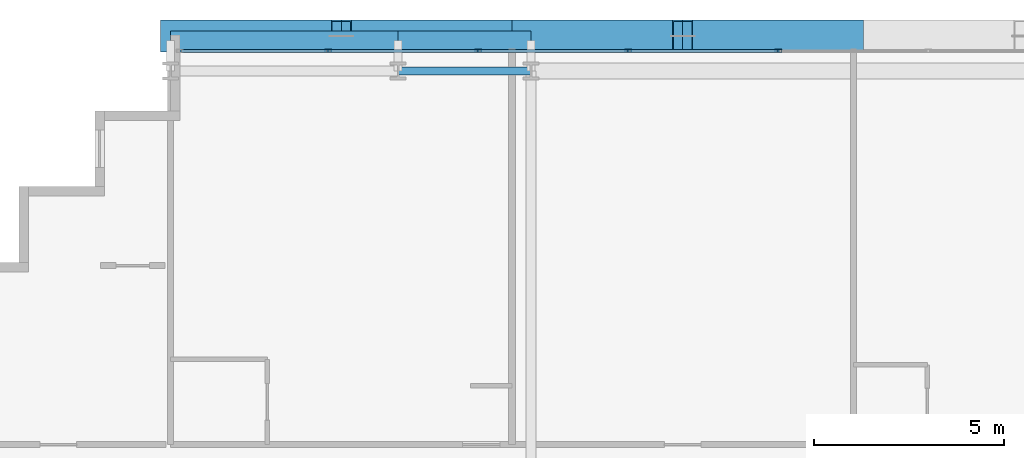
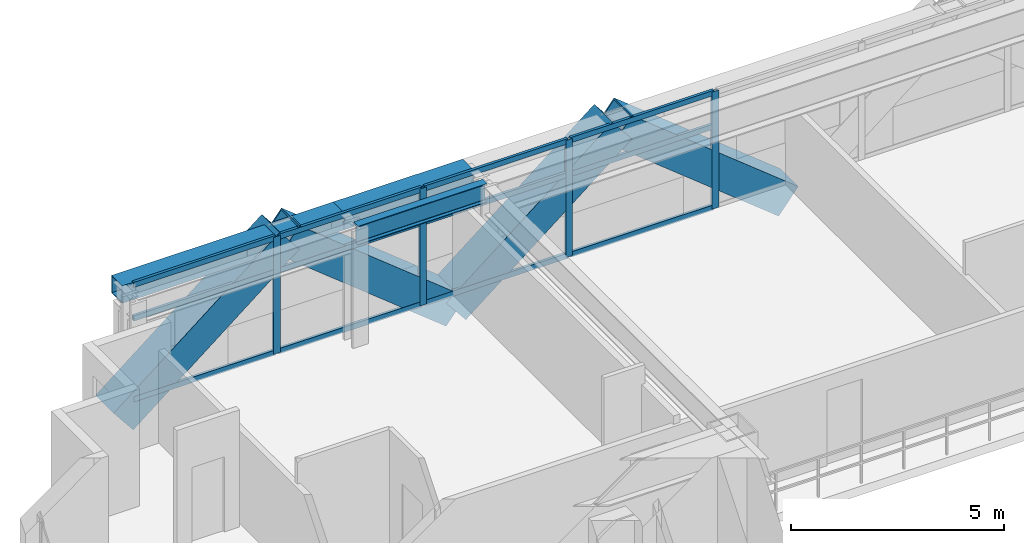
# One storey, part 18 of 35: 20 members, 3 beams, 1 element without a shape of its own.
"""IFC4 building model written with IfcOpenShell, lengths in metres."""

from ifc_helpers import new_model, si_unit, direction, frame, origin, origin_2d, place, context, subcontext, project, spatial, hollow_rectangle, i_section, extrude, source, transform, mapped, material, layer, layer_set, material_profile, profile_set, type_object, element, aggregate, save


model = new_model("IFC4")

# Units and contexts
model_context = context("Model", 3, precision=1e-05, world=origin(), true_north=direction((0.0, 1.0)))
body_context = subcontext(model_context, "Body", "Model", "MODEL_VIEW")
ifc_project = project(units=[si_unit("LENGTHUNIT", "METRE"), si_unit("AREAUNIT", "SQUARE_METRE"), si_unit("VOLUMEUNIT", "CUBIC_METRE"), si_unit("PLANEANGLEUNIT", "RADIAN"), si_unit("MASSUNIT", "GRAM", prefix="KILO")], contexts=[model_context])

# Site, building, storey
site_placement = place(None, origin())
site = spatial("IfcSite", under=ifc_project, at=site_placement, CompositionType="ELEMENT")
building_placement = place(site_placement, origin())
building = spatial("IfcBuilding", under=site, at=building_placement, Name="Ocotamira Hotel", CompositionType="ELEMENT")
storey_placement = place(building_placement, frame((0.0, 0.0, 78.0)))
storey = spatial("IfcBuildingStorey", under=building, at=storey_placement, Name="L19", CompositionType="ELEMENT", Elevation=78.0)

# Beams
ifc_material_1 = material(Name="Steel ASTM A992 Grade 50", Category="steel")
ifc_material_profile_1 = material_profile(ifc_material_1, i_section(OverallWidth=0.2099609375, OverallDepth=0.537109375, WebThickness=0.010986328125, FlangeThickness=0.017333984375, FilletRadius=0.012939453125, at=origin_2d()), Name="W21X68")
ifc_profile_set_1 = profile_set([ifc_material_profile_1], Name="Steel ASTM A992 Grade 50")
beam_type_1 = type_object("IfcBeamType", Name="BM-SEC-W21X68", PredefinedType="JOIST", material=ifc_profile_set_1)
shared_shape_1 = source(origin(), body_context, "Body", "SweptSolid", [
    extrude(i_section(OverallWidth=0.2099609375, OverallDepth=0.537109375, WebThickness=0.010986328125, FlangeThickness=0.017333984375, FilletRadius=0.012939453125, at=origin_2d()), origin(), (0.0, 0.0, 1.0), 3.5),
])
beam_1_placement = place(storey_placement, frame((20.0, 49.050048828125, 3.08154296875), z_axis=(1.0, 0.0, 0.0), x_axis=(0.0, 1.0, 0.0)))
element("IfcBeam", 1, at=beam_1_placement, inside=storey, type_object=beam_type_1, Name="L19 Girder Y49.05 X20-23.5", PredefinedType="JOIST", context=body_context, shape_type="MappedRepresentation", body=[
    mapped(shared_shape_1, transform((0.0, 0.0, 0.0), scale=1.0)),
])
ifc_material_2 = material(Name="Steel ASTM A500 Grade C", Category="steel")
ifc_material_profile_2 = material_profile(ifc_material_2, hollow_rectangle(XDim=0.5, YDim=0.5, WallThickness=0.02001953125, at=origin_2d()), Name="HSS500X500X20")
ifc_profile_set_2 = profile_set([ifc_material_profile_2], Name="Steel ASTM A500 Grade C")
beam_type_2 = type_object("IfcBeamType", Name="BM-SPAN-HSS500", PredefinedType="USERDEFINED", material=ifc_profile_set_2)
shared_shape_2 = source(origin(), body_context, "Body", "SweptSolid", [
    extrude(hollow_rectangle(XDim=0.5, YDim=0.5, WallThickness=0.02001953125, at=origin_2d()), origin(), (0.0, 0.0, 1.0), 6.0),
])
beam_2_placement = place(storey_placement, frame((14.0, 49.85009765625, 3.10009765625), z_axis=(1.0, 0.0, 0.0), x_axis=(0.0, 1.0, 0.0)))
element("IfcBeam", 2, at=beam_2_placement, inside=storey, type_object=beam_type_2, Name="L19 Edge Spandrel N X14-20", ObjectType="SPANDREL", PredefinedType="USERDEFINED", context=body_context, shape_type="MappedRepresentation", body=[
    mapped(shared_shape_2, transform((0.0, 0.0, 0.0), scale=1.0)),
])
shared_shape_3 = source(origin(), body_context, "Body", "SweptSolid", [
    extrude(hollow_rectangle(XDim=0.5, YDim=0.5, WallThickness=0.02001953125, at=origin_2d()), origin(), (0.0, 0.0, 1.0), 3.5),
])
beam_3_placement = place(storey_placement, frame((20.0, 49.85009765625, 3.10009765625), z_axis=(1.0, 0.0, 0.0), x_axis=(0.0, 1.0, 0.0)))
element("IfcBeam", 3, at=beam_3_placement, inside=storey, type_object=beam_type_2, Name="L19 Edge Spandrel N X20-23.5", ObjectType="SPANDREL", PredefinedType="USERDEFINED", context=body_context, shape_type="MappedRepresentation", body=[
    mapped(shared_shape_3, transform((0.0, 0.0, 0.0), scale=1.0)),
])

# Members
ifc_material_3 = material(Name="Pale-metal coated steel ASTM A913 Grade 65", Category="steel")
ifc_material_profile_3 = material_profile(ifc_material_3, hollow_rectangle(XDim=0.85009765625, YDim=0.85009765625, WallThickness=0.035888671875, at=origin_2d()), Name="BOX850X850X36")
ifc_profile_set_3 = profile_set([ifc_material_profile_3], Name="Pale-metal coated steel ASTM A913 Grade 65")
member_type_1 = type_object("IfcMemberType", Name="MEM-EXO-BOX850", PredefinedType="BRACE", material=ifc_profile_set_3)
shared_shape_4 = source(origin(), body_context, "Body", "SweptSolid", [
    extrude(hollow_rectangle(XDim=0.85009765625, YDim=0.85009765625, WallThickness=0.035888671875, at=origin_2d()), origin(), (0.0, 0.0, 1.0), 5.762939453125),
])
for number, where, z_axis, x_axis, name in (
    (4, (14.0, 49.969970703125, -0.5), (0.780860543151, 0.0, 0.624705380279), (0.0, 1.0, 0.0), "L19 Exoskeleton Diagrid N0.1"),
    (5, (23.0, 49.969970703125, -0.5), (-0.780860543151, 0.0, 0.624705380279), (0.0, -1.0, 0.0), "L19 Exoskeleton Diagrid N0.2"),
    (6, (23.0, 49.969970703125, -0.5), (0.780860543151, 0.0, 0.624705380279), (0.0, 1.0, 0.0), "L19 Exoskeleton Diagrid N1.1"),
    (7, (32.0, 49.969970703125, -0.5), (-0.780860543151, 0.0, 0.624705380279), (0.0, -1.0, 0.0), "L19 Exoskeleton Diagrid N1.2"),
):
    element("IfcMember", number, at=place(storey_placement, frame(where, z_axis=z_axis, x_axis=x_axis)), inside=storey, type_object=member_type_1, Name=name, PredefinedType="BRACE", context=body_context, shape_type="MappedRepresentation", body=[
        mapped(shared_shape_4, transform((0.0, 0.0, 0.0), scale=1.0)),
    ])

# Curtain wall, members
ifc_material_4 = material(Name="Anodised pale-metal aluminium and solar glass", Category="aluminium")
ifc_layer = layer(ifc_material_4, 0.179931640625)
ifc_layer_set = layer_set([ifc_layer], Name="Anodised pale-metal aluminium and solar glass")
curtain_wall_type = type_object("IfcCurtainWallType", Name="CW-SYS2-Z1", PredefinedType="NOTDEFINED", material=ifc_layer_set)
curtain_wall_placement = place(storey_placement, origin())
curtain_wall = element("IfcCurtainWall", 8, at=curtain_wall_placement, inside=storey, type_object=curtain_wall_type, Name="L19 Curtain Wall CW-2 CW-L19-N", PredefinedType="NOTDEFINED")
ifc_material_5 = material(Name="Anodised pale-metal aluminium 6063-T6", Category="aluminium")
ifc_material_profile_4 = material_profile(ifc_material_5, hollow_rectangle(XDim=0.074951171875, YDim=0.14990234375, WallThickness=0.006103515625, at=origin_2d()), Name="HSS150X75X6")
ifc_profile_set_4 = profile_set([ifc_material_profile_4], Name="Anodised pale-metal aluminium 6063-T6")
member_type_2 = type_object("IfcMemberType", Name="CWT-150X75", PredefinedType="USERDEFINED", material=ifc_profile_set_4)
shared_shape_5 = source(origin(), body_context, "Body", "SweptSolid", [
    extrude(hollow_rectangle(XDim=0.074951171875, YDim=0.14990234375, WallThickness=0.006103515625, at=origin_2d()), origin(), (0.0, 0.0, 1.0), 3.83544921875),
])
member_1_placement = place(storey_placement, frame((14.280029296875, 49.580078125, 0.03759765625), z_axis=(1.0, 0.0, 0.0), x_axis=(0.0, 1.0, 0.0)))
member_1 = element("IfcMember", 9, at=member_1_placement, type_object=member_type_2, Name="CW-2 transom 1.1", ObjectType="TRANSOM", PredefinedType="USERDEFINED", context=body_context, shape_type="MappedRepresentation", body=[
    mapped(shared_shape_5, transform((0.0, 0.0, 0.0), scale=1.0)),
])
member_2_placement = place(storey_placement, frame((14.280029296875, 49.580078125, 2.35009765625), z_axis=(1.0, 0.0, 0.0), x_axis=(0.0, 1.0, 0.0)))
member_2 = element("IfcMember", 10, at=member_2_placement, type_object=member_type_2, Name="CW-2 transom 1.2", ObjectType="TRANSOM", PredefinedType="USERDEFINED", context=body_context, shape_type="MappedRepresentation", body=[
    mapped(shared_shape_5, transform((0.0, 0.0, 0.0), scale=1.0)),
])
member_3_placement = place(storey_placement, frame((14.280029296875, 49.580078125, 3.3125), z_axis=(1.0, 0.0, 0.0), x_axis=(0.0, 1.0, 0.0)))
member_3 = element("IfcMember", 11, at=member_3_placement, type_object=member_type_2, Name="CW-2 transom 1.3", ObjectType="TRANSOM", PredefinedType="USERDEFINED", context=body_context, shape_type="MappedRepresentation", body=[
    mapped(shared_shape_5, transform((0.0, 0.0, 0.0), scale=1.0)),
])
shared_shape_6 = source(origin(), body_context, "Body", "SweptSolid", [
    extrude(hollow_rectangle(XDim=0.074951171875, YDim=0.14990234375, WallThickness=0.006103515625, at=origin_2d()), origin(), (0.0, 0.0, 1.0), 3.87548828125),
])
member_4_placement = place(storey_placement, frame((18.195556640625, 49.580078125, 0.03759765625), z_axis=(1.0, 0.0, 0.0), x_axis=(0.0, 1.0, 0.0)))
member_4 = element("IfcMember", 12, at=member_4_placement, type_object=member_type_2, Name="CW-2 transom 2.1", ObjectType="TRANSOM", PredefinedType="USERDEFINED", context=body_context, shape_type="MappedRepresentation", body=[
    mapped(shared_shape_6, transform((0.0, 0.0, 0.0), scale=1.0)),
])
member_5_placement = place(storey_placement, frame((18.195556640625, 49.580078125, 2.35009765625), z_axis=(1.0, 0.0, 0.0), x_axis=(0.0, 1.0, 0.0)))
member_5 = element("IfcMember", 13, at=member_5_placement, type_object=member_type_2, Name="CW-2 transom 2.2", ObjectType="TRANSOM", PredefinedType="USERDEFINED", context=body_context, shape_type="MappedRepresentation", body=[
    mapped(shared_shape_6, transform((0.0, 0.0, 0.0), scale=1.0)),
])
member_6_placement = place(storey_placement, frame((18.195556640625, 49.580078125, 3.3125), z_axis=(1.0, 0.0, 0.0), x_axis=(0.0, 1.0, 0.0)))
member_6 = element("IfcMember", 14, at=member_6_placement, type_object=member_type_2, Name="CW-2 transom 2.3", ObjectType="TRANSOM", PredefinedType="USERDEFINED", context=body_context, shape_type="MappedRepresentation", body=[
    mapped(shared_shape_6, transform((0.0, 0.0, 0.0), scale=1.0)),
])
member_7_placement = place(storey_placement, frame((22.151123046875, 49.580078125, 0.03759765625), z_axis=(1.0, 0.0, 0.0), x_axis=(0.0, 1.0, 0.0)))
member_7 = element("IfcMember", 15, at=member_7_placement, type_object=member_type_2, Name="CW-2 transom 3.1", ObjectType="TRANSOM", PredefinedType="USERDEFINED", context=body_context, shape_type="MappedRepresentation", body=[
    mapped(shared_shape_6, transform((0.0, 0.0, 0.0), scale=1.0)),
])
member_8_placement = place(storey_placement, frame((22.151123046875, 49.580078125, 2.35009765625), z_axis=(1.0, 0.0, 0.0), x_axis=(0.0, 1.0, 0.0)))
member_8 = element("IfcMember", 16, at=member_8_placement, type_object=member_type_2, Name="CW-2 transom 3.2", ObjectType="TRANSOM", PredefinedType="USERDEFINED", context=body_context, shape_type="MappedRepresentation", body=[
    mapped(shared_shape_6, transform((0.0, 0.0, 0.0), scale=1.0)),
])
member_9_placement = place(storey_placement, frame((22.151123046875, 49.580078125, 3.3125), z_axis=(1.0, 0.0, 0.0), x_axis=(0.0, 1.0, 0.0)))
member_9 = element("IfcMember", 17, at=member_9_placement, type_object=member_type_2, Name="CW-2 transom 3.3", ObjectType="TRANSOM", PredefinedType="USERDEFINED", context=body_context, shape_type="MappedRepresentation", body=[
    mapped(shared_shape_6, transform((0.0, 0.0, 0.0), scale=1.0)),
])
member_10_placement = place(storey_placement, frame((26.106689453125, 49.580078125, 0.03759765625), z_axis=(1.0, 0.0, 0.0), x_axis=(0.0, 1.0, 0.0)))
member_10 = element("IfcMember", 18, at=member_10_placement, type_object=member_type_2, Name="CW-2 transom 4.1", ObjectType="TRANSOM", PredefinedType="USERDEFINED", context=body_context, shape_type="MappedRepresentation", body=[
    mapped(shared_shape_6, transform((0.0, 0.0, 0.0), scale=1.0)),
])
member_11_placement = place(storey_placement, frame((26.106689453125, 49.580078125, 2.35009765625), z_axis=(1.0, 0.0, 0.0), x_axis=(0.0, 1.0, 0.0)))
member_11 = element("IfcMember", 19, at=member_11_placement, type_object=member_type_2, Name="CW-2 transom 4.2", ObjectType="TRANSOM", PredefinedType="USERDEFINED", context=body_context, shape_type="MappedRepresentation", body=[
    mapped(shared_shape_6, transform((0.0, 0.0, 0.0), scale=1.0)),
])
member_12_placement = place(storey_placement, frame((26.106689453125, 49.580078125, 3.3125), z_axis=(1.0, 0.0, 0.0), x_axis=(0.0, 1.0, 0.0)))
member_12 = element("IfcMember", 20, at=member_12_placement, type_object=member_type_2, Name="CW-2 transom 4.3", ObjectType="TRANSOM", PredefinedType="USERDEFINED", context=body_context, shape_type="MappedRepresentation", body=[
    mapped(shared_shape_6, transform((0.0, 0.0, 0.0), scale=1.0)),
])
ifc_material_profile_5 = material_profile(ifc_material_5, hollow_rectangle(XDim=0.080078125, YDim=0.179931640625, WallThickness=0.006103515625, at=origin_2d()), Name="HSS180X80X6")
ifc_profile_set_5 = profile_set([ifc_material_profile_5], Name="Anodised pale-metal aluminium 6063-T6")
member_type_3 = type_object("IfcMemberType", Name="CWM-180X75", PredefinedType="MULLION", material=ifc_profile_set_5)
shared_shape_7 = source(origin(), body_context, "Body", "SweptSolid", [
    extrude(hollow_rectangle(XDim=0.080078125, YDim=0.179931640625, WallThickness=0.006103515625, at=origin_2d()), origin(), (0.0, 0.0, 1.0), 3.35009765625),
])
member_13_placement = place(storey_placement, frame((18.155517578125, 49.580078125, 0.0), z_axis=(0.0, 0.0, 1.0), x_axis=(0.0, 1.0, 0.0)))
member_13 = element("IfcMember", 21, at=member_13_placement, type_object=member_type_3, Name="CW-2 mullion 2", PredefinedType="MULLION", context=body_context, shape_type="MappedRepresentation", body=[
    mapped(shared_shape_7, transform((0.0, 0.0, 0.0), scale=1.0)),
])
member_14_placement = place(storey_placement, frame((22.111083984375, 49.580078125, 0.0), z_axis=(0.0, 0.0, 1.0), x_axis=(0.0, 1.0, 0.0)))
member_14 = element("IfcMember", 22, at=member_14_placement, type_object=member_type_3, Name="CW-2 mullion 3", PredefinedType="MULLION", context=body_context, shape_type="MappedRepresentation", body=[
    mapped(shared_shape_7, transform((0.0, 0.0, 0.0), scale=1.0)),
])
member_15_placement = place(storey_placement, frame((26.066650390625, 49.580078125, 0.0), z_axis=(0.0, 0.0, 1.0), x_axis=(0.0, 1.0, 0.0)))
member_15 = element("IfcMember", 23, at=member_15_placement, type_object=member_type_3, Name="CW-2 mullion 4", PredefinedType="MULLION", context=body_context, shape_type="MappedRepresentation", body=[
    mapped(shared_shape_7, transform((0.0, 0.0, 0.0), scale=1.0)),
])
member_16_placement = place(storey_placement, frame((30.022216796875, 49.580078125, 0.0), z_axis=(0.0, 0.0, 1.0), x_axis=(0.0, 1.0, 0.0)))
member_16 = element("IfcMember", 24, at=member_16_placement, type_object=member_type_3, Name="CW-2 mullion 5", PredefinedType="MULLION", context=body_context, shape_type="MappedRepresentation", body=[
    mapped(shared_shape_7, transform((0.0, 0.0, 0.0), scale=1.0)),
])
aggregate(curtain_wall, [member_13, member_14, member_15, member_16, member_1, member_2, member_3, member_4, member_5, member_6, member_7, member_8, member_9, member_10, member_11, member_12])

save(model, "model.ifc")
